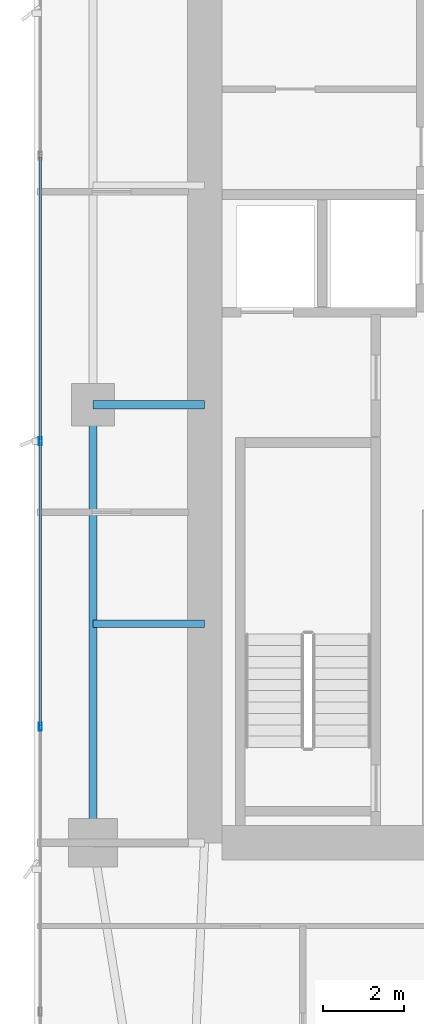
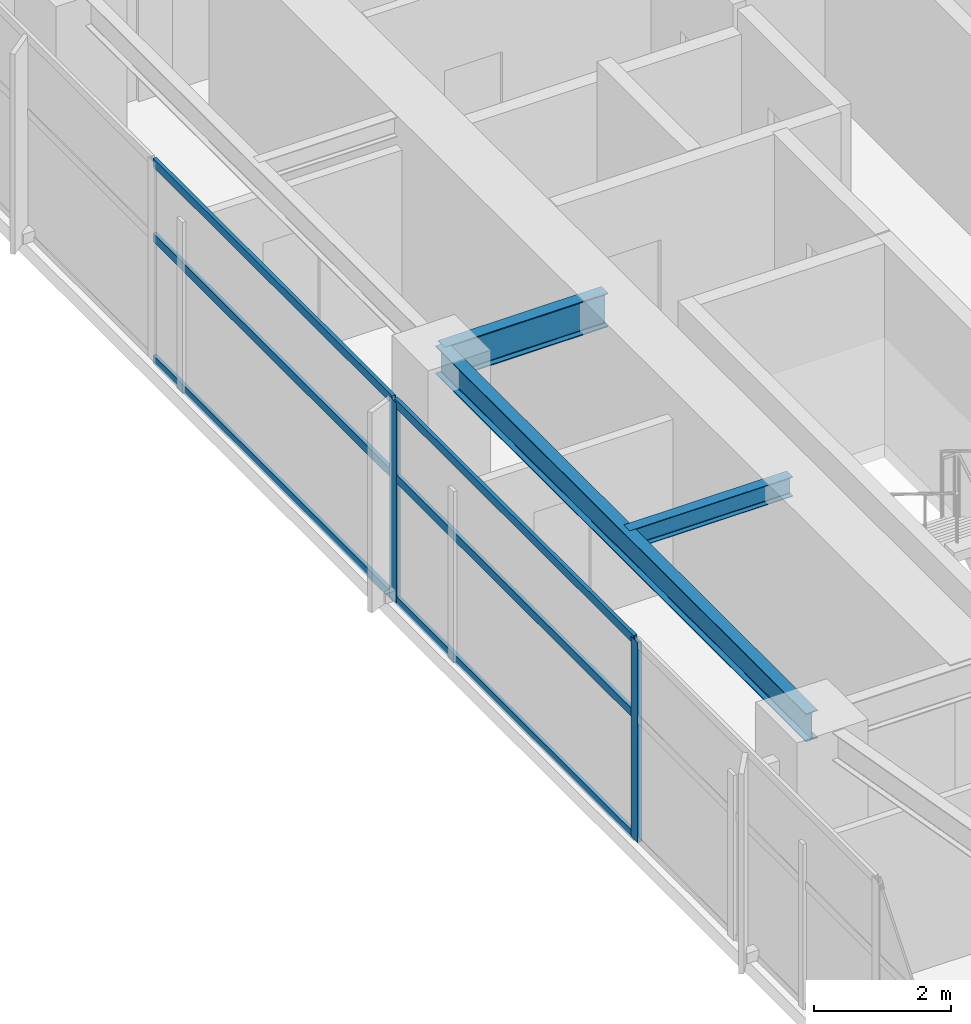
# One storey, part 8 of 28: 8 members, 3 beams, 1 element without a shape of its own.
"""IFC4 building model written with IfcOpenShell, lengths in metres."""

import ifcopenshell
import ifcopenshell.guid

model = None  # the IFC model being written
_history = None  # IfcOwnerHistory: only IFC2X3 demands one
_inside = {}  # id of a spatial element -> (the spatial element, [elements in it])
_under = {}  # id of a project, library or spatial element -> (it, [spatial elements below it])
_declared = {}  # id of a project -> (the project, [libraries it declares])
_typed = {}  # id of a type object -> (the type object, [elements of that type])
_made_of = {}  # id of a material, layer set ... -> (it, [elements and type objects made of it])


def new_model(schema):
    """Start an empty IFC model of exactly this schema.

    Asked for "IFC4X3", IfcOpenShell would pick the latest addendum, in which some entities
    have other attributes; the version numbers below select the first issue.
    IFC2X3 requires an IfcOwnerHistory on every rooted entity: one is made here for all.
    """
    global model, _history
    if schema == "IFC4X3":
        model = ifcopenshell.file(schema_version=(4, 3, 0, 0))
    else:
        model = ifcopenshell.file(schema=schema)
    _inside.clear()
    _under.clear()
    _declared.clear()
    _typed.clear()
    _made_of.clear()
    _history = None
    if model.schema == "IFC2X3":
        org = make("IfcOrganization", Name="unknown")
        user = make(
            "IfcPersonAndOrganization",
            ThePerson=make("IfcPerson", FamilyName="unknown"),
            TheOrganization=org,
        )
        app = make(
            "IfcApplication",
            ApplicationDeveloper=org,
            Version="unknown",
            ApplicationFullName="unknown",
            ApplicationIdentifier="unknown",
        )
        _history = make(
            "IfcOwnerHistory",
            OwningUser=user,
            OwningApplication=app,
            ChangeAction="ADDED",
            CreationDate=0,
        )
    return model


def make(cls, **values):
    """One entity of the class cls with the attributes given. An attribute that is None is left unset."""
    return model.create_entity(
        cls, **{name: value for name, value in values.items() if value is not None}
    )


def rooted(cls, **values):
    """An entity with a GlobalId (a new one), such as an element, a storey or a relation."""
    return make(cls, GlobalId=ifcopenshell.guid.new(), OwnerHistory=_history, **values)


def si_unit(unit_type, name, prefix=None):
    """IfcSIUnit, for example si_unit("LENGTHUNIT", "METRE", prefix="MILLI")."""
    return make("IfcSIUnit", UnitType=unit_type, Prefix=prefix, Name=name)


def assignment(units):
    """IfcUnitAssignment: the units of a project."""
    return None if units is None else make("IfcUnitAssignment", Units=units)


def point(xyz):
    """IfcCartesianPoint."""
    return None if xyz is None else make("IfcCartesianPoint", Coordinates=xyz)


def direction(xyz):
    """IfcDirection."""
    return None if xyz is None else make("IfcDirection", DirectionRatios=xyz)


def frame(location, z_axis=None, x_axis=None):
    """IfcAxis2Placement3D, a coordinate frame: its origin and axes. An axis left out is left unset."""
    return make(
        "IfcAxis2Placement3D",
        Location=point(location),
        Axis=direction(z_axis),
        RefDirection=direction(x_axis),
    )


def frame_2d(location, x_axis=None):
    """IfcAxis2Placement2D, a coordinate frame in the plane: its origin and x axis."""
    return make(
        "IfcAxis2Placement2D", Location=point(location), RefDirection=direction(x_axis)
    )


def origin():
    """The frame at (0, 0, 0) with its axes left unset."""
    return frame((0.0, 0.0, 0.0))


def origin_2d():
    """The frame at (0, 0) in the plane with its x axis left unset."""
    return frame_2d((0.0, 0.0))


def place(relative_to, where):
    """IfcLocalPlacement: puts the frame where relative to a parent placement (None: the world)."""
    return make(
        "IfcLocalPlacement", PlacementRelTo=relative_to, RelativePlacement=where
    )


def context(
    kind, dimensions, precision=None, world=None, true_north=None, identifier=None
):
    """IfcGeometricRepresentationContext, for example the 3D "Model" context."""
    return make(
        "IfcGeometricRepresentationContext",
        ContextIdentifier=identifier,
        ContextType=kind,
        CoordinateSpaceDimension=dimensions,
        Precision=precision,
        WorldCoordinateSystem=world,
        TrueNorth=true_north,
    )


def subcontext(parent, identifier, kind, view, scale=None):
    """IfcGeometricRepresentationSubContext, for example "Body" below "Model"."""
    return make(
        "IfcGeometricRepresentationSubContext",
        ContextIdentifier=identifier,
        ContextType=kind,
        ParentContext=parent,
        TargetScale=scale,
        TargetView=view,
    )


def project(units=None, contexts=None):
    """IfcProject with its units and contexts."""
    return rooted(
        "IfcProject",
        Name="project",
        RepresentationContexts=contexts,
        UnitsInContext=assignment(units),
    )


def spatial(cls, under=None, at=None, **own):
    """A site, building, storey or space (cls), placed at a placement, below another one or the project."""
    s = rooted(cls, ObjectPlacement=at, **own)
    if under is not None:
        _under.setdefault(under.id(), (under, []))[1].append(s)
    return s


def profile(cls, at=None, kind="AREA", **sizes):
    """A parametric profile (cls). Its sizes go by their IFC names, for example OverallWidth=200.0."""
    return make(cls, ProfileType=kind, Position=at, **sizes)


def hollow_rectangle(**sizes):
    """IfcRectangleHollowProfileDef."""
    return profile("IfcRectangleHollowProfileDef", **sizes)


def i_section(**sizes):
    """IfcIShapeProfileDef."""
    return profile("IfcIShapeProfileDef", **sizes)


def extrude(swept, where, along, depth):
    """IfcExtrudedAreaSolid: the profile swept, set in the frame where, extruded along a direction by depth."""
    return make(
        "IfcExtrudedAreaSolid",
        SweptArea=swept,
        Position=where,
        ExtrudedDirection=direction(along),
        Depth=depth,
    )


def shape(context_of_items, identifier, shape_type, items):
    """IfcShapeRepresentation: the items that make up one representation, for example the "Body"."""
    return make(
        "IfcShapeRepresentation",
        ContextOfItems=context_of_items,
        RepresentationIdentifier=identifier,
        RepresentationType=shape_type,
        Items=items,
    )


def material(Name=None, Category=None):
    """IfcMaterial."""
    return make("IfcMaterial", Name=Name, Category=Category)


def layer(
    of_material, thickness, ventilated=None, Name=None, Category=None, Priority=None
):
    """IfcMaterialLayer: one layer of a wall or slab, of a material (None: an air gap)."""
    return make(
        "IfcMaterialLayer",
        Material=of_material,
        LayerThickness=thickness,
        IsVentilated=ventilated,
        Name=Name,
        Category=Category,
        Priority=Priority,
    )


def layer_set(layers, Name=None):
    """IfcMaterialLayerSet."""
    return make("IfcMaterialLayerSet", MaterialLayers=layers, LayerSetName=Name)


def material_profile(
    of_material, cross_section, Name=None, Category=None, Priority=None
):
    """IfcMaterialProfile: a cross section and its material."""
    return make(
        "IfcMaterialProfile",
        Name=Name,
        Material=of_material,
        Profile=cross_section,
        Priority=Priority,
        Category=Category,
    )


def profile_set(profiles, Name=None, composite=None):
    """IfcMaterialProfileSet."""
    return make(
        "IfcMaterialProfileSet",
        Name=Name,
        MaterialProfiles=profiles,
        CompositeProfile=composite,
    )


def made_of(thing, what):
    """Note that an element or type object is made of a material, layer set ...; save() writes the relation."""
    if what is not None:
        _made_of.setdefault(what.id(), (what, []))[1].append(thing)
    return thing


def type_object(cls, material=None, **own):
    """A type object (cls), such as IfcWallType, which elements share."""
    return made_of(rooted(cls, **own), material)


def element(
    cls,
    number,
    at=None,
    inside=None,
    cuts=None,
    type_object=None,
    material=None,
    context=None,
    identifier="Body",
    shape_type=None,
    held_by="IfcProductDefinitionShape",
    body=None,
    shapes=None,
    **own,
):
    """One element of the class cls, such as IfcWall. Its Tag is "e" and its number.

    at: its placement. inside: the storey or other place that contains it. cuts: it is an
    opening in that element (IfcRelVoidsElement). A single representation is given by context,
    identifier, shape_type and body (its items); several are given by shapes. held_by: the class
    of the entity that holds the representations. save() writes the other relations.
    """
    e = rooted(cls, Tag="e%d" % number, ObjectPlacement=at, **own)
    if body is not None:
        shapes = [shape(context, identifier, shape_type, body)]
    if shapes is not None:
        e.Representation = make(held_by, Representations=shapes)
    if inside is not None:
        _inside.setdefault(inside.id(), (inside, []))[1].append(e)
    if cuts is not None:
        rooted(
            "IfcRelVoidsElement", RelatingBuildingElement=cuts, RelatedOpeningElement=e
        )
    if type_object is not None:
        _typed.setdefault(type_object.id(), (type_object, []))[1].append(e)
    return made_of(e, material)


def aggregate(whole, parts):
    """IfcRelAggregates: a whole, such as a stair, and the parts it consists of."""
    return rooted("IfcRelAggregates", RelatingObject=whole, RelatedObjects=parts)


def save(model, path):
    """Write the relations noted so far, then the file.

    IfcRelAggregates (storeys below a building ...), IfcRelContainedInSpatialStructure (elements
    in a storey), IfcRelDefinesByType, IfcRelAssociatesMaterial and IfcRelDeclares: one each for
    every whole, place, type object, material and project.
    """
    for whole, parts in _under.values():
        aggregate(whole, parts)
    for where, things in _inside.values():
        rooted(
            "IfcRelContainedInSpatialStructure",
            RelatedElements=things,
            RelatingStructure=where,
        )
    for kind, things in _typed.values():
        rooted("IfcRelDefinesByType", RelatedObjects=things, RelatingType=kind)
    for what, things in _made_of.values():
        rooted("IfcRelAssociatesMaterial", RelatedObjects=things, RelatingMaterial=what)
    for by, libraries in _declared.values():
        rooted("IfcRelDeclares", RelatingContext=by, RelatedDefinitions=libraries)
    model.write(path)


model = new_model("IFC4")

# Units and contexts
model_context = context("Model", 3, precision=1e-05, world=origin(), true_north=direction((0.0, 1.0)))
body_context = subcontext(model_context, "Body", "Model", "MODEL_VIEW")
ifc_project = project(units=[si_unit("LENGTHUNIT", "METRE"), si_unit("AREAUNIT", "SQUARE_METRE"), si_unit("VOLUMEUNIT", "CUBIC_METRE"), si_unit("PLANEANGLEUNIT", "RADIAN"), si_unit("MASSUNIT", "GRAM", prefix="KILO")], contexts=[model_context])

# Site, building, storey
site_placement = place(None, origin())
site = spatial("IfcSite", under=ifc_project, at=site_placement, CompositionType="ELEMENT")
building_placement = place(site_placement, origin())
building = spatial("IfcBuilding", under=site, at=building_placement, Name="Calvorn Quay Hotel", CompositionType="ELEMENT")
storey_placement = place(building_placement, frame((0.0, 0.0, 159.89990234375)))
storey = spatial("IfcBuildingStorey", under=building, at=storey_placement, Name="L39", CompositionType="ELEMENT", Elevation=159.89990234375)

# Beams
ifc_material_1 = material(Name="Steel Q355B", Category="steel")
ifc_material_profile_1 = material_profile(ifc_material_1, i_section(OverallWidth=0.199951171875, OverallDepth=0.60009765625, WebThickness=0.010986328125, FlangeThickness=0.01708984375, FilletRadius=0.01806640625, at=origin_2d()), Name="HN600x200x11x17")
ifc_profile_set_1 = profile_set([ifc_material_profile_1], Name="Steel Q355B")
beam_type_1 = type_object("IfcBeamType", Name="BM-GIRD-TYP", PredefinedType="BEAM", material=ifc_profile_set_1)
beam_1_placement = place(storey_placement, frame((1.449951171875, 27.60009765625, 3.239990234375), z_axis=(1.0, 0.0, 0.0), x_axis=(0.0, 1.0, 0.0)))
element("IfcBeam", 1, at=beam_1_placement, inside=storey, type_object=beam_type_1, Name="Beam BG-L39-W2", PredefinedType="BEAM", context=body_context, shape_type="SweptSolid", body=[
    extrude(i_section(OverallWidth=0.199951171875, OverallDepth=0.60009765625, WebThickness=0.010986328125, FlangeThickness=0.01708984375, FilletRadius=0.01806640625, at=origin_2d()), origin(), (0.0, 0.0, 1.0), 2.75),
])
ifc_material_2 = material(Name="Steel Q355B", Category="steel")
ifc_material_profile_2 = material_profile(ifc_material_2, i_section(OverallWidth=0.175048828125, OverallDepth=0.35009765625, WebThickness=0.007080078125, FlangeThickness=0.010986328125, FilletRadius=0.013916015625, at=origin_2d()), Name="HN350x175x7x11")
ifc_profile_set_2 = profile_set([ifc_material_profile_2], Name="Steel Q355B")
beam_type_2 = type_object("IfcBeamType", Name="BM-JOIST-SEC", PredefinedType="JOIST", material=ifc_profile_set_2)
beam_2_placement = place(storey_placement, frame((1.449951171875, 22.199951171875, 3.364990234375), z_axis=(1.0, 0.0, 0.0), x_axis=(0.0, 1.0, 0.0)))
element("IfcBeam", 2, at=beam_2_placement, inside=storey, type_object=beam_type_2, Name="Beam BJ-L39-W3", PredefinedType="JOIST", context=body_context, shape_type="SweptSolid", body=[
    extrude(i_section(OverallWidth=0.175048828125, OverallDepth=0.35009765625, WebThickness=0.007080078125, FlangeThickness=0.010986328125, FilletRadius=0.013916015625, at=origin_2d()), origin(), (0.0, 0.0, 1.0), 2.75),
])
ifc_material_3 = material(Name="Steel Q355B", Category="steel")
ifc_material_profile_3 = material_profile(ifc_material_3, i_section(OverallWidth=0.199951171875, OverallDepth=0.5, WebThickness=0.010009765625, FlangeThickness=0.01611328125, FilletRadius=0.01611328125, at=origin_2d()), Name="HN500x200x10x16")
ifc_profile_set_3 = profile_set([ifc_material_profile_3], Name="Steel Q355B")
beam_type_3 = type_object("IfcBeamType", Name="BM-SPANDREL-Z1", PredefinedType="SPANDREL", material=ifc_profile_set_3)
beam_3_placement = place(storey_placement, frame((1.449951171875, 16.800048828125, 3.2900390625), z_axis=(0.0, 1.0, 0.0), x_axis=(-1.0, 0.0, 0.0)))
element("IfcBeam", 3, at=beam_3_placement, inside=storey, type_object=beam_type_3, Name="Beam BSP-L39-W2", PredefinedType="SPANDREL", context=body_context, shape_type="SweptSolid", body=[
    extrude(i_section(OverallWidth=0.199951171875, OverallDepth=0.5, WebThickness=0.010009765625, FlangeThickness=0.01611328125, FilletRadius=0.01611328125, at=origin_2d()), origin(), (0.0, 0.0, 1.0), 10.800048828125),
])

# Curtain wall, members
ifc_material_4 = material(Name="Pale Anodised Aluminium and Low-E Glass", Category="aluminium")
ifc_layer = layer(ifc_material_4, 0.219970703125)
ifc_layer_set = layer_set([ifc_layer], Name="CW-SYS-Z2")
curtain_wall_type = type_object("IfcCurtainWallType", Name="CW-SYS-Z2", PredefinedType="NOTDEFINED", material=ifc_layer_set)
curtain_wall_placement = place(storey_placement, origin())
curtain_wall = element("IfcCurtainWall", 4, at=curtain_wall_placement, inside=storey, type_object=curtain_wall_type, Name="Tower West Curtain Wall (L39)", PredefinedType="NOTDEFINED")
ifc_material_5 = material(Name="Pale Anodised Aluminium 6063-T6", Category="aluminium")
ifc_material_profile_4 = material_profile(ifc_material_5, hollow_rectangle(XDim=0.070068359375, YDim=0.199951171875, WallThickness=0.00390625, at=origin_2d()), Name="ALU-M200x70x4")
ifc_profile_set_4 = profile_set([ifc_material_profile_4], Name="Pale Anodised Aluminium 6063-T6")
member_type_1 = type_object("IfcMemberType", Name="CW-SYS-Z2-MUL", PredefinedType="MULLION", material=ifc_profile_set_4)
member_1_placement = place(storey_placement, frame((0.14990234375, 19.666748046875, 0.0), z_axis=(0.0, 0.0, 1.0), x_axis=(-1.0, 0.0, 0.0)))
member_1 = element("IfcMember", 5, at=member_1_placement, type_object=member_type_1, Name="CW-L39-W mullion 3", PredefinedType="MULLION", context=body_context, shape_type="SweptSolid", body=[
    extrude(hollow_rectangle(XDim=0.070068359375, YDim=0.199951171875, WallThickness=0.00390625, at=origin_2d()), origin(), (0.0, 0.0, 1.0), 3.56005859375),
])
member_2_placement = place(storey_placement, frame((0.14990234375, 26.699951171875, 0.0), z_axis=(0.0, 0.0, 1.0), x_axis=(-1.0, 0.0, 0.0)))
member_2 = element("IfcMember", 6, at=member_2_placement, type_object=member_type_1, Name="CW-L39-W mullion 4", PredefinedType="MULLION", context=body_context, shape_type="SweptSolid", body=[
    extrude(hollow_rectangle(XDim=0.070068359375, YDim=0.199951171875, WallThickness=0.00390625, at=origin_2d()), origin(), (0.0, 0.0, 1.0), 3.56005859375),
])
ifc_material_6 = material(Name="Pale Anodised Aluminium 6063-T6", Category="aluminium")
ifc_material_profile_5 = material_profile(ifc_material_6, hollow_rectangle(XDim=0.06005859375, YDim=0.14990234375, WallThickness=0.00341796875, at=origin_2d()), Name="ALU-T150x60x3.5")
ifc_profile_set_5 = profile_set([ifc_material_profile_5], Name="Pale Anodised Aluminium 6063-T6")
member_type_2 = type_object("IfcMemberType", Name="CW-SYS-Z2-TRN", PredefinedType="USERDEFINED", material=ifc_profile_set_5)
member_3_placement = place(storey_placement, frame((0.14990234375, 19.69677734375, 0.030029296875), z_axis=(0.0, 1.0, 0.0), x_axis=(-1.0, 0.0, 0.0)))
member_3 = element("IfcMember", 7, at=member_3_placement, type_object=member_type_2, Name="CW-L39-W transom 3.1", ObjectType="TRANSOM", PredefinedType="USERDEFINED", context=body_context, shape_type="SweptSolid", body=[
    extrude(hollow_rectangle(XDim=0.06005859375, YDim=0.14990234375, WallThickness=0.00341796875, at=origin_2d()), origin(), (0.0, 0.0, 1.0), 6.97314453125),
])
member_4_placement = place(storey_placement, frame((0.14990234375, 19.69677734375, 2.2001953125), z_axis=(0.0, 1.0, 0.0), x_axis=(-1.0, 0.0, 0.0)))
member_4 = element("IfcMember", 8, at=member_4_placement, type_object=member_type_2, Name="CW-L39-W transom 3.2", ObjectType="TRANSOM", PredefinedType="USERDEFINED", context=body_context, shape_type="SweptSolid", body=[
    extrude(hollow_rectangle(XDim=0.06005859375, YDim=0.14990234375, WallThickness=0.00341796875, at=origin_2d()), origin(), (0.0, 0.0, 1.0), 6.97314453125),
])
member_5_placement = place(storey_placement, frame((0.14990234375, 19.69677734375, 3.530029296875), z_axis=(0.0, 1.0, 0.0), x_axis=(-1.0, 0.0, 0.0)))
member_5 = element("IfcMember", 9, at=member_5_placement, type_object=member_type_2, Name="CW-L39-W transom 3.3", ObjectType="TRANSOM", PredefinedType="USERDEFINED", context=body_context, shape_type="SweptSolid", body=[
    extrude(hollow_rectangle(XDim=0.06005859375, YDim=0.14990234375, WallThickness=0.00341796875, at=origin_2d()), origin(), (0.0, 0.0, 1.0), 6.97314453125),
])
member_6_placement = place(storey_placement, frame((0.14990234375, 26.72998046875, 0.030029296875), z_axis=(0.0, 1.0, 0.0), x_axis=(-1.0, 0.0, 0.0)))
member_6 = element("IfcMember", 10, at=member_6_placement, type_object=member_type_2, Name="CW-L39-W transom 4.1", ObjectType="TRANSOM", PredefinedType="USERDEFINED", context=body_context, shape_type="SweptSolid", body=[
    extrude(hollow_rectangle(XDim=0.06005859375, YDim=0.14990234375, WallThickness=0.00341796875, at=origin_2d()), origin(), (0.0, 0.0, 1.0), 6.973388671875),
])
member_7_placement = place(storey_placement, frame((0.14990234375, 26.72998046875, 2.2001953125), z_axis=(0.0, 1.0, 0.0), x_axis=(-1.0, 0.0, 0.0)))
member_7 = element("IfcMember", 11, at=member_7_placement, type_object=member_type_2, Name="CW-L39-W transom 4.2", ObjectType="TRANSOM", PredefinedType="USERDEFINED", context=body_context, shape_type="SweptSolid", body=[
    extrude(hollow_rectangle(XDim=0.06005859375, YDim=0.14990234375, WallThickness=0.00341796875, at=origin_2d()), origin(), (0.0, 0.0, 1.0), 6.973388671875),
])
member_8_placement = place(storey_placement, frame((0.14990234375, 26.72998046875, 3.530029296875), z_axis=(0.0, 1.0, 0.0), x_axis=(-1.0, 0.0, 0.0)))
member_8 = element("IfcMember", 12, at=member_8_placement, type_object=member_type_2, Name="CW-L39-W transom 4.3", ObjectType="TRANSOM", PredefinedType="USERDEFINED", context=body_context, shape_type="SweptSolid", body=[
    extrude(hollow_rectangle(XDim=0.06005859375, YDim=0.14990234375, WallThickness=0.00341796875, at=origin_2d()), origin(), (0.0, 0.0, 1.0), 6.973388671875),
])
aggregate(curtain_wall, [member_1, member_2, member_3, member_4, member_5, member_6, member_7, member_8])

save(model, "model.ifc")
